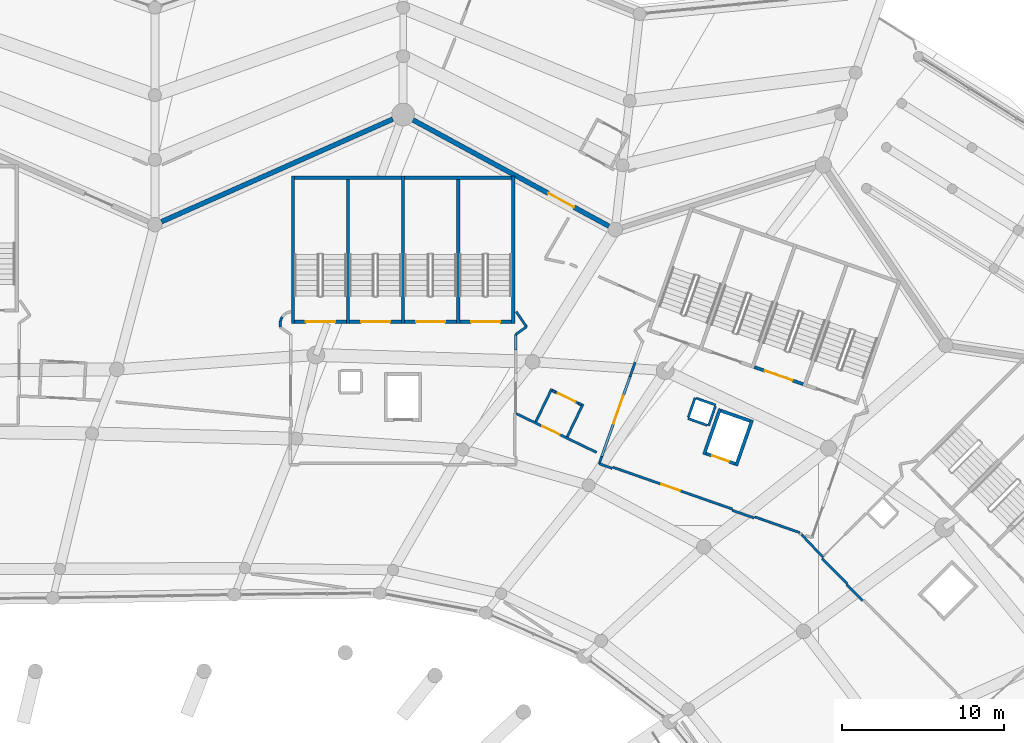
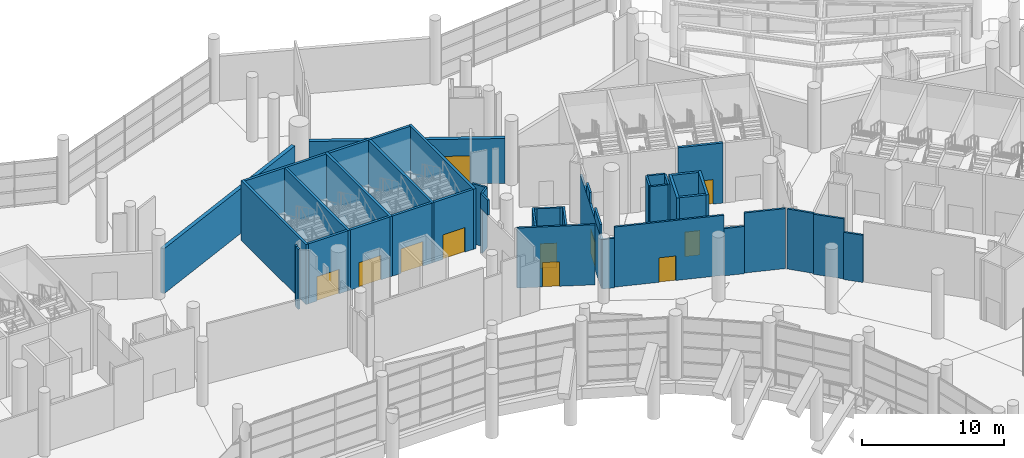
# One storey, part 197 of 271: 43 walls, 11 doors, 11 openings.
"""IFC4 building model written with IfcOpenShell, lengths in metres."""

from ifc_helpers import new_model, si_unit, direction, frame, frame_2d, origin, place, context, subcontext, project, spatial, rectangle, extrude, material, layer, layer_set, type_object, element, fill, save


model = new_model("IFC4")

# Units and contexts
model_context = context("Model", 3, precision=1e-05, world=origin(), true_north=direction((0.0, 1.0)))
body_context = subcontext(model_context, "Body", "Model", "MODEL_VIEW")
ifc_project = project(units=[si_unit("LENGTHUNIT", "METRE"), si_unit("AREAUNIT", "SQUARE_METRE"), si_unit("VOLUMEUNIT", "CUBIC_METRE"), si_unit("PLANEANGLEUNIT", "RADIAN"), si_unit("MASSUNIT", "GRAM", prefix="KILO")], contexts=[model_context])

# Site, building, storey
site_placement = place(None, origin())
site = spatial("IfcSite", under=ifc_project, at=site_placement, CompositionType="ELEMENT")
building_placement = place(site_placement, origin())
building = spatial("IfcBuilding", under=site, at=building_placement, Name="Meseta Stadium", CompositionType="ELEMENT")
storey_placement = place(building_placement, frame((0.0, 0.0, 6.5)))
storey = spatial("IfcBuildingStorey", under=building, at=storey_placement, Name="L01", CompositionType="ELEMENT", Elevation=6.5)

# Walls
ifc_material_1 = material(Name="Concrete C40/50", Category="concrete")
ifc_layer_1 = layer(ifc_material_1, 0.199951171875)
ifc_layer_set_1 = layer_set([ifc_layer_1], Name="Core divider wall 200")
wall_type_1 = type_object("IfcWallType", Name="Core divider wall 200", PredefinedType="SHEAR", material=ifc_layer_set_1)
for number, where, z_axis, x_axis, name in (
    (1, (41.7333984375, 101.60009765625, 0.0), (0.0, 0.0, 1.0), (0.0, -1.0, 0.0), "Core 09 L01 stair A divider wall"),
    (2, (34.933349609375, 101.60009765625, 0.0), (0.0, 0.0, 1.0), (0.0, -1.0, 0.0), "Core 09 L01 stair B divider wall"),
):
    element("IfcWall", number, at=place(storey_placement, frame(where, z_axis=z_axis, x_axis=x_axis)), inside=storey, type_object=wall_type_1, Name=name, PredefinedType="SHEAR", context=body_context, shape_type="SweptSolid", body=[
        extrude(rectangle(XDim=9.10009765625, YDim=0.199951171875, at=frame_2d((4.550048828125, 0.0))), origin(), (0.0, 0.0, 1.0), 5.14990234375),
    ])

# Wall, opening, door
ifc_material_2 = material(Name="Concrete C40/50", Category="concrete")
ifc_layer_2 = layer(ifc_material_2, 0.199951171875)
ifc_layer_set_2 = layer_set([ifc_layer_2], Name="Core shaft wall 200")
wall_type_2 = type_object("IfcWallType", Name="Core shaft wall 200", PredefinedType="SHEAR", material=ifc_layer_set_2)
wall_1_placement = place(storey_placement, frame((63.052490234375, 88.741943359375, 0.0), z_axis=(0.0, 0.0, 1.0), x_axis=(-0.943878576031, 0.330292648585, 0.0)))
wall_1 = element("IfcWall", 3, at=wall_1_placement, inside=storey, type_object=wall_type_2, Name="Core 08 L01 stair A2 inner end wall", PredefinedType="SHEAR", context=body_context, shape_type="SweptSolid", body=[
    extrude(rectangle(XDim=3.199951171875, YDim=0.199951171875, at=frame_2d((1.60009765625, 0.0))), origin(), (0.0, 0.0, 1.0), 5.14990234375),
])
opening_1_placement = place(wall_1_placement, frame((0.699951171875, 0.0, 0.0)))
opening_1 = element("IfcOpeningElement", 4, at=opening_1_placement, cuts=wall_1, Name="Opening D124", PredefinedType="OPENING", context=body_context, shape_type="SweptSolid", body=[
    extrude(rectangle(XDim=1.800048828125, YDim=2.10009765625, at=frame_2d((0.89990234375, 1.050048828125))), frame((0.0, 0.10986328125, 0.0), z_axis=(0.0, -1.0, 0.0), x_axis=(1.0, 0.0, 0.0)), (0.0, 0.0, 1.0), 0.219970703125),
])
ifc_material_3 = material(Name="Steel", Category="steel")
door_type_1 = type_object("IfcDoorType", Name="Stair door 1800x2100", OperationType="DOUBLE_DOOR_SINGLE_SWING", PredefinedType="DOOR", material=ifc_material_3)
door_1_placement = place(opening_1_placement, origin())
door_1 = element("IfcDoor", 5, at=door_1_placement, inside=storey, type_object=door_type_1, Name="Stair A2 door 08 L01", OperationType="DOUBLE_DOOR_SINGLE_SWING", OverallHeight=2.10009765625, OverallWidth=1.800048828125, PredefinedType="DOOR", context=body_context, shape_type="SweptSolid", body=[
    extrude(rectangle(XDim=1.800048828125, YDim=2.10009765625, at=frame_2d((0.89990234375, 1.050048828125))), frame((0.0, 0.02490234375, 0.0), z_axis=(0.0, -1.0, 0.0), x_axis=(1.0, 0.0, 0.0)), (0.0, 0.0, 1.0), 0.050048828125),
])
fill(opening_1, door_1)

# Walls
for number, where, z_axis, x_axis, name in (
    (6, (59.896240234375, 86.53369140625, 0.0), (0.0, 0.0, 1.0), (-0.330328674497, -0.943865968666, 0.0), "Core 08 L01 lift shaft wall left"),
    (7, (57.9140625, 87.227294921875, 0.0), (0.0, 0.0, 1.0), (-0.330328674497, -0.943865968666, 0.0), "Core 08 L01 lift shaft wall right"),
):
    element("IfcWall", number, at=place(storey_placement, frame(where, z_axis=z_axis, x_axis=x_axis)), inside=storey, type_object=wall_type_2, Name=name, PredefinedType="SHEAR", context=body_context, shape_type="SweptSolid", body=[
        extrude(rectangle(XDim=3.0, YDim=0.199951171875, at=frame_2d((1.5, 0.0))), origin(), (0.0, 0.0, 1.0), 5.14990234375),
    ])
wall_2_placement = place(storey_placement, frame((59.768798828125, 86.472412109375, 0.0), z_axis=(0.0, 0.0, 1.0), x_axis=(-0.943862362559, 0.330338978239, 0.0)))
element("IfcWall", 8, at=wall_2_placement, inside=storey, type_object=wall_type_2, Name="Core 08 L01 lift shaft back wall", PredefinedType="SHEAR", context=body_context, shape_type="SweptSolid", body=[
    extrude(rectangle(XDim=1.900146484375, YDim=0.199951171875, at=frame_2d((0.9501953125, 0.0))), origin(), (0.0, 0.0, 1.0), 5.14990234375),
])

# Wall, opening, door
wall_3_placement = place(storey_placement, frame((58.843994140625, 83.82958984375, 0.0), z_axis=(0.0, 0.0, 1.0), x_axis=(-0.943902418729, 0.330224505327, 0.0)))
wall_3 = element("IfcWall", 9, at=wall_3_placement, inside=storey, type_object=wall_type_2, Name="Core 08 L01 lift shaft front wall", PredefinedType="SHEAR", context=body_context, shape_type="SweptSolid", body=[
    extrude(rectangle(XDim=1.900146484375, YDim=0.199951171875, at=frame_2d((0.9501953125, 0.0))), origin(), (0.0, 0.0, 1.0), 5.14990234375),
])
opening_2_placement = place(wall_3_placement, frame((0.39990234375, 0.0, 0.0)))
opening_2 = element("IfcOpeningElement", 10, at=opening_2_placement, cuts=wall_3, Name="Opening LD44", PredefinedType="OPENING", context=body_context, shape_type="SweptSolid", body=[
    extrude(rectangle(XDim=1.10009765625, YDim=2.10009765625, at=frame_2d((0.550048828125, 1.050048828125))), frame((0.0, 0.10986328125, 0.0), z_axis=(0.0, -1.0, 0.0), x_axis=(1.0, 0.0, 0.0)), (0.0, 0.0, 1.0), 0.219970703125),
])
ifc_material_4 = material(Name="Steel", Category="steel")
door_type_2 = type_object("IfcDoorType", Name="Lift landing door 1100x2100", OperationType="SLIDING_TO_LEFT", PredefinedType="DOOR", material=ifc_material_4)
door_2_placement = place(opening_2_placement, origin())
door_2 = element("IfcDoor", 11, at=door_2_placement, inside=storey, type_object=door_type_2, Name="Lift landing door LD44", OperationType="SLIDING_TO_RIGHT", OverallHeight=2.10009765625, OverallWidth=1.10009765625, PredefinedType="DOOR", context=body_context, shape_type="SweptSolid", body=[
    extrude(rectangle(XDim=1.10009765625, YDim=2.10009765625, at=frame_2d((0.550048828125, 1.050048828125))), frame((0.0, 0.02490234375, 0.0), z_axis=(0.0, -1.0, 0.0), x_axis=(1.0, 0.0, 0.0)), (0.0, 0.0, 1.0), 0.050048828125),
])
fill(opening_2, door_2)

# Walls
for number, where, z_axis, x_axis, name in (
    (12, (45.13330078125, 101.60009765625, 0.0), (0.0, 0.0, 1.0), (0.0, -1.0, 0.0), "Core 09 L01 stair wall A-side"),
    (13, (38.333251953125, 101.60009765625, 0.0), (0.0, 0.0, 1.0), (0.0, -1.0, 0.0), "Core 09 L01 stair wall shared"),
    (14, (31.533203125, 101.60009765625, 0.0), (0.0, 0.0, 1.0), (0.0, -1.0, 0.0), "Core 09 L01 stair wall B-side"),
):
    element("IfcWall", number, at=place(storey_placement, frame(where, z_axis=z_axis, x_axis=x_axis)), inside=storey, type_object=wall_type_2, Name=name, PredefinedType="SHEAR", context=body_context, shape_type="SweptSolid", body=[
        extrude(rectangle(XDim=9.10009765625, YDim=0.199951171875, at=frame_2d((4.550048828125, 0.0))), origin(), (0.0, 0.0, 1.0), 5.14990234375),
    ])
wall_4_placement = place(storey_placement, frame((45.033203125, 101.5, 0.0), z_axis=(0.0, 0.0, 1.0), x_axis=(-1.0, 0.0, 0.0)))
element("IfcWall", 15, at=wall_4_placement, inside=storey, type_object=wall_type_2, Name="Core 09 L01 stair A outer end wall", PredefinedType="SHEAR", context=body_context, shape_type="SweptSolid", body=[
    extrude(rectangle(XDim=6.599853515625, YDim=0.199951171875, at=frame_2d((3.2998046875, 0.0))), origin(), (0.0, 0.0, 1.0), 5.14990234375),
])
wall_5_placement = place(storey_placement, frame((38.2333984375, 101.5, 0.0), z_axis=(0.0, 0.0, 1.0), x_axis=(-1.0, 0.0, 0.0)))
element("IfcWall", 16, at=wall_5_placement, inside=storey, type_object=wall_type_2, Name="Core 09 L01 stair B outer end wall", PredefinedType="SHEAR", context=body_context, shape_type="SweptSolid", body=[
    extrude(rectangle(XDim=6.60009765625, YDim=0.199951171875, at=frame_2d((3.300048828125, 0.0))), origin(), (0.0, 0.0, 1.0), 5.14990234375),
])

# Wall, opening, door
wall_6_placement = place(storey_placement, frame((45.033203125, 92.60009765625, 0.0), z_axis=(0.0, 0.0, 1.0), x_axis=(-1.0, 0.0, 0.0)))
wall_6 = element("IfcWall", 17, at=wall_6_placement, inside=storey, type_object=wall_type_2, Name="Core 09 L01 stair A1 inner end wall", PredefinedType="SHEAR", context=body_context, shape_type="SweptSolid", body=[
    extrude(rectangle(XDim=3.199951171875, YDim=0.199951171875, at=frame_2d((1.60009765625, 0.0))), origin(), (0.0, 0.0, 1.0), 5.14990234375),
])
opening_3_placement = place(wall_6_placement, frame((0.699951171875, 0.0, 0.0)))
opening_3 = element("IfcOpeningElement", 18, at=opening_3_placement, cuts=wall_6, Name="Opening D135", PredefinedType="OPENING", context=body_context, shape_type="SweptSolid", body=[
    extrude(rectangle(XDim=1.800048828125, YDim=2.10009765625, at=frame_2d((0.89990234375, 1.050048828125))), frame((0.0, 0.10986328125, 0.0), z_axis=(0.0, -1.0, 0.0), x_axis=(1.0, 0.0, 0.0)), (0.0, 0.0, 1.0), 0.219970703125),
])
door_3_placement = place(opening_3_placement, origin())
door_3 = element("IfcDoor", 19, at=door_3_placement, inside=storey, type_object=door_type_1, Name="Stair A1 door 09 L01", OperationType="DOUBLE_DOOR_SINGLE_SWING", OverallHeight=2.10009765625, OverallWidth=1.800048828125, PredefinedType="DOOR", context=body_context, shape_type="SweptSolid", body=[
    extrude(rectangle(XDim=1.800048828125, YDim=2.10009765625, at=frame_2d((0.89990234375, 1.050048828125))), frame((0.0, 0.02490234375, 0.0), z_axis=(0.0, -1.0, 0.0), x_axis=(1.0, 0.0, 0.0)), (0.0, 0.0, 1.0), 0.050048828125),
])
fill(opening_3, door_3)

wall_7_placement = place(storey_placement, frame((41.63330078125, 92.60009765625, 0.0), z_axis=(0.0, 0.0, 1.0), x_axis=(-1.0, 0.0, 0.0)))
wall_7 = element("IfcWall", 20, at=wall_7_placement, inside=storey, type_object=wall_type_2, Name="Core 09 L01 stair A2 inner end wall", PredefinedType="SHEAR", context=body_context, shape_type="SweptSolid", body=[
    extrude(rectangle(XDim=3.199951171875, YDim=0.199951171875, at=frame_2d((1.60009765625, 0.0))), origin(), (0.0, 0.0, 1.0), 5.14990234375),
])
opening_4_placement = place(wall_7_placement, frame((0.699951171875, 0.0, 0.0)))
opening_4 = element("IfcOpeningElement", 21, at=opening_4_placement, cuts=wall_7, Name="Opening D136", PredefinedType="OPENING", context=body_context, shape_type="SweptSolid", body=[
    extrude(rectangle(XDim=1.800048828125, YDim=2.10009765625, at=frame_2d((0.89990234375, 1.050048828125))), frame((0.0, 0.10986328125, 0.0), z_axis=(0.0, -1.0, 0.0), x_axis=(1.0, 0.0, 0.0)), (0.0, 0.0, 1.0), 0.219970703125),
])
door_4_placement = place(opening_4_placement, origin())
door_4 = element("IfcDoor", 22, at=door_4_placement, inside=storey, type_object=door_type_1, Name="Stair A2 door 09 L01", OperationType="DOUBLE_DOOR_SINGLE_SWING", OverallHeight=2.10009765625, OverallWidth=1.800048828125, PredefinedType="DOOR", context=body_context, shape_type="SweptSolid", body=[
    extrude(rectangle(XDim=1.800048828125, YDim=2.10009765625, at=frame_2d((0.89990234375, 1.050048828125))), frame((0.0, 0.02490234375, 0.0), z_axis=(0.0, -1.0, 0.0), x_axis=(1.0, 0.0, 0.0)), (0.0, 0.0, 1.0), 0.050048828125),
])
fill(opening_4, door_4)

wall_8_placement = place(storey_placement, frame((38.2333984375, 92.60009765625, 0.0), z_axis=(0.0, 0.0, 1.0), x_axis=(-1.0, 0.0, 0.0)))
wall_8 = element("IfcWall", 23, at=wall_8_placement, inside=storey, type_object=wall_type_2, Name="Core 09 L01 stair B1 inner end wall", PredefinedType="SHEAR", context=body_context, shape_type="SweptSolid", body=[
    extrude(rectangle(XDim=3.2001953125, YDim=0.199951171875, at=frame_2d((1.60009765625, 0.0))), origin(), (0.0, 0.0, 1.0), 5.14990234375),
])
opening_5_placement = place(wall_8_placement, frame((0.699951171875, 0.0, 0.0)))
opening_5 = element("IfcOpeningElement", 24, at=opening_5_placement, cuts=wall_8, Name="Opening D137", PredefinedType="OPENING", context=body_context, shape_type="SweptSolid", body=[
    extrude(rectangle(XDim=1.800048828125, YDim=2.10009765625, at=frame_2d((0.89990234375, 1.050048828125))), frame((0.0, 0.10986328125, 0.0), z_axis=(0.0, -1.0, 0.0), x_axis=(1.0, 0.0, 0.0)), (0.0, 0.0, 1.0), 0.219970703125),
])
door_5_placement = place(opening_5_placement, origin())
door_5 = element("IfcDoor", 25, at=door_5_placement, inside=storey, type_object=door_type_1, Name="Stair B1 door 09 L01", OperationType="DOUBLE_DOOR_SINGLE_SWING", OverallHeight=2.10009765625, OverallWidth=1.800048828125, PredefinedType="DOOR", context=body_context, shape_type="SweptSolid", body=[
    extrude(rectangle(XDim=1.800048828125, YDim=2.10009765625, at=frame_2d((0.89990234375, 1.050048828125))), frame((0.0, 0.02490234375, 0.0), z_axis=(0.0, -1.0, 0.0), x_axis=(1.0, 0.0, 0.0)), (0.0, 0.0, 1.0), 0.050048828125),
])
fill(opening_5, door_5)

wall_9_placement = place(storey_placement, frame((34.833251953125, 92.60009765625, 0.0), z_axis=(0.0, 0.0, 1.0), x_axis=(-1.0, 0.0, 0.0)))
wall_9 = element("IfcWall", 26, at=wall_9_placement, inside=storey, type_object=wall_type_2, Name="Core 09 L01 stair B2 inner end wall", PredefinedType="SHEAR", context=body_context, shape_type="SweptSolid", body=[
    extrude(rectangle(XDim=3.199951171875, YDim=0.199951171875, at=frame_2d((1.60009765625, 0.0))), origin(), (0.0, 0.0, 1.0), 5.14990234375),
])
opening_6_placement = place(wall_9_placement, frame((0.699951171875, 0.0, 0.0)))
opening_6 = element("IfcOpeningElement", 27, at=opening_6_placement, cuts=wall_9, Name="Opening D138", PredefinedType="OPENING", context=body_context, shape_type="SweptSolid", body=[
    extrude(rectangle(XDim=1.800048828125, YDim=2.10009765625, at=frame_2d((0.89990234375, 1.050048828125))), frame((0.0, 0.10986328125, 0.0), z_axis=(0.0, -1.0, 0.0), x_axis=(1.0, 0.0, 0.0)), (0.0, 0.0, 1.0), 0.219970703125),
])
door_6_placement = place(opening_6_placement, origin())
door_6 = element("IfcDoor", 28, at=door_6_placement, inside=storey, type_object=door_type_1, Name="Stair B2 door 09 L01", OperationType="DOUBLE_DOOR_SINGLE_SWING", OverallHeight=2.10009765625, OverallWidth=1.800048828125, PredefinedType="DOOR", context=body_context, shape_type="SweptSolid", body=[
    extrude(rectangle(XDim=1.800048828125, YDim=2.10009765625, at=frame_2d((0.89990234375, 1.050048828125))), frame((0.0, 0.02490234375, 0.0), z_axis=(0.0, -1.0, 0.0), x_axis=(1.0, 0.0, 0.0)), (0.0, 0.0, 1.0), 0.050048828125),
])
fill(opening_6, door_6)

ifc_material_5 = material(Name="Masonry blockwork", Category="masonry")
ifc_layer_3 = layer(ifc_material_5, 0.14990234375)
ifc_layer_set_3 = layer_set([ifc_layer_3], Name="Partition 150")
wall_type_3 = type_object("IfcWallType", Name="Partition 150", PredefinedType="PARTITIONING", material=ifc_layer_set_3)
wall_10_placement = place(storey_placement, frame((51.2841796875, 83.614501953125, 0.0), z_axis=(0.0, 0.0, 1.0), x_axis=(0.943878277554, -0.330293501543, 0.0)))
wall_10 = element("IfcWall", 29, at=wall_10_placement, inside=storey, type_object=wall_type_3, Name="Partition L01 L01-cell06-0-0", PredefinedType="PARTITIONING", context=body_context, shape_type="SweptSolid", body=[
    extrude(rectangle(XDim=7.8330078125, YDim=0.14990234375, at=frame_2d((3.91650390625, 0.0))), origin(), (0.0, 0.0, 1.0), 5.14990234375),
])
opening_7_placement = place(wall_10_placement, frame((3.199951171875, 0.0, 0.0)))
opening_7 = element("IfcOpeningElement", 30, at=opening_7_placement, cuts=wall_10, Name="Opening D647", PredefinedType="OPENING", context=body_context, shape_type="SweptSolid", body=[
    extrude(rectangle(XDim=1.199951171875, YDim=2.10009765625, at=frame_2d((0.60009765625, 1.050048828125))), frame((0.0, 0.0849609375, 0.0), z_axis=(0.0, -1.0, 0.0), x_axis=(1.0, 0.0, 0.0)), (0.0, 0.0, 1.0), 0.169921875),
])
ifc_material_6 = material(Name="Steel", Category="steel")
door_type_3 = type_object("IfcDoorType", Name="Fire door 1200x2100 EI2 60", OperationType="NOTDEFINED", PredefinedType="DOOR", material=ifc_material_6)
door_7_placement = place(opening_7_placement, origin())
door_7 = element("IfcDoor", 31, at=door_7_placement, inside=storey, type_object=door_type_3, Name="Door D647", OperationType="SINGLE_SWING_LEFT", OverallHeight=2.10009765625, OverallWidth=1.199951171875, PredefinedType="DOOR", context=body_context, shape_type="SweptSolid", body=[
    extrude(rectangle(XDim=1.199951171875, YDim=2.10009765625, at=frame_2d((0.60009765625, 1.050048828125))), frame((0.0, 0.02490234375, 0.0), z_axis=(0.0, -1.0, 0.0), x_axis=(1.0, 0.0, 0.0)), (0.0, 0.0, 1.0), 0.050048828125),
])
fill(opening_7, door_7)

# Walls
wall_11_placement = place(storey_placement, frame((60.06396484375, 80.542236328125, 0.0), z_axis=(0.0, 0.0, 1.0), x_axis=(0.943873905003, -0.330305996696, 0.0)))
element("IfcWall", 32, at=wall_11_placement, inside=storey, type_object=wall_type_3, Name="Partition L01 L01-cell06-0-0", PredefinedType="PARTITIONING", context=body_context, shape_type="SweptSolid", body=[
    extrude(rectangle(XDim=2.937255859375, YDim=0.14990234375, at=frame_2d((1.46875, 0.0))), origin(), (0.0, 0.0, 1.0), 5.14990234375),
])
wall_12_placement = place(storey_placement, frame((62.948486328125, 79.453369140625, 0.0), z_axis=(0.0, 0.0, 1.0), x_axis=(0.686461196607, -0.727166435937, 0.0)))
element("IfcWall", 33, at=wall_12_placement, inside=storey, type_object=wall_type_3, Name="Partition L01 L01-cell06-0-0", PredefinedType="PARTITIONING", context=body_context, shape_type="SweptSolid", body=[
    extrude(rectangle(XDim=1.943359375, YDim=0.14990234375, at=frame_2d((0.9716796875, 0.0))), origin(), (0.0, 0.0, 1.0), 5.14990234375),
])
wall_13_placement = place(storey_placement, frame((64.215576171875, 77.973388671875, 0.0), z_axis=(0.0, 0.0, 1.0), x_axis=(0.707161957089, -0.707051600978, 0.0)))
element("IfcWall", 34, at=wall_13_placement, inside=storey, type_object=wall_type_3, Name="Partition L01 L01-cell06-0-0", PredefinedType="PARTITIONING", context=body_context, shape_type="SweptSolid", body=[
    extrude(rectangle(XDim=2.21240234375, YDim=0.14990234375, at=frame_2d((1.106201171875, 0.0))), origin(), (0.0, 0.0, 1.0), 5.14990234375),
])

# Wall, opening, door
wall_14_placement = place(storey_placement, frame((45.308349609375, 86.931396484375, 0.0), z_axis=(0.0, 0.0, 1.0), x_axis=(0.90052298219, -0.434808415911, 0.0)))
wall_14 = element("IfcWall", 35, at=wall_14_placement, inside=storey, type_object=wall_type_3, Name="Partition L01 L01-cell07-0-0", PredefinedType="PARTITIONING", context=body_context, shape_type="SweptSolid", body=[
    extrude(rectangle(XDim=5.521728515625, YDim=0.14990234375, at=frame_2d((2.7607421875, 0.0))), origin(), (0.0, 0.0, 1.0), 5.14990234375),
])
opening_8_placement = place(wall_14_placement, frame((1.800048828125, 0.0, 0.0)))
opening_8 = element("IfcOpeningElement", 36, at=opening_8_placement, cuts=wall_14, Name="Opening D648", PredefinedType="OPENING", context=body_context, shape_type="SweptSolid", body=[
    extrude(rectangle(XDim=1.199951171875, YDim=2.10009765625, at=frame_2d((0.60009765625, 1.050048828125))), frame((0.0, 0.0849609375, 0.0), z_axis=(0.0, -1.0, 0.0), x_axis=(1.0, 0.0, 0.0)), (0.0, 0.0, 1.0), 0.169921875),
])
door_8_placement = place(opening_8_placement, origin())
door_8 = element("IfcDoor", 37, at=door_8_placement, inside=storey, type_object=door_type_3, Name="Door D648", OperationType="SINGLE_SWING_LEFT", OverallHeight=2.10009765625, OverallWidth=1.199951171875, PredefinedType="DOOR", context=body_context, shape_type="SweptSolid", body=[
    extrude(rectangle(XDim=1.199951171875, YDim=2.10009765625, at=frame_2d((0.60009765625, 1.050048828125))), frame((0.0, 0.02490234375, 0.0), z_axis=(0.0, -1.0, 0.0), x_axis=(1.0, 0.0, 0.0)), (0.0, 0.0, 1.0), 0.050048828125),
])
fill(opening_8, door_8)

# Walls
wall_15_placement = place(storey_placement, frame((65.73388671875, 76.34912109375, 0.0), z_axis=(0.0, 0.0, 1.0), x_axis=(0.707106781187, -0.707106781187, 0.0)))
element("IfcWall", 38, at=wall_15_placement, inside=storey, type_object=wall_type_3, Name="Stair vestibule wall L01 core 07", PredefinedType="PARTITIONING", context=body_context, shape_type="SweptSolid", body=[
    extrude(rectangle(XDim=1.392578125, YDim=0.14990234375, at=frame_2d((0.6962890625, 0.0))), origin(), (0.0, 0.0, 1.0), 4.050048828125),
])
for number, where, z_axis, x_axis, name in (
    (39, (57.6484375, 87.45263671875, 0.0), (0.0, 0.0, 1.0), (-0.943867312246, 0.330324835387, 0.0), "Pressurisation shaft wall L01 core 08"),
    (40, (56.374267578125, 87.898681640625, 0.0), (0.0, 0.0, 1.0), (-0.330324835387, -0.943867312246, 0.0), "Pressurisation shaft wall L01 core 08"),
    (41, (55.928466796875, 86.62451171875, 0.0), (0.0, 0.0, 1.0), (0.943867312246, -0.330324835387, 0.0), "Pressurisation shaft wall L01 core 08"),
):
    element("IfcWall", number, at=place(storey_placement, frame(where, z_axis=z_axis, x_axis=x_axis)), inside=storey, type_object=wall_type_3, Name=name, PredefinedType="PARTITIONING", context=body_context, shape_type="SweptSolid", body=[
        extrude(rectangle(XDim=1.27490234375, YDim=0.14990234375, at=frame_2d((0.637451171875, 0.0))), origin(), (0.0, 0.0, 1.0), 5.14990234375),
    ])
wall_16_placement = place(storey_placement, frame((57.20263671875, 86.178466796875, 0.0), z_axis=(0.0, 0.0, 1.0), x_axis=(0.330265141396, 0.943888201207, 0.0)))
element("IfcWall", 42, at=wall_16_placement, inside=storey, type_object=wall_type_3, Name="Pressurisation shaft wall L01 core 08", PredefinedType="PARTITIONING", context=body_context, shape_type="SweptSolid", body=[
    extrude(rectangle(XDim=1.275146484375, YDim=0.14990234375, at=frame_2d((0.6376953125, 0.0))), origin(), (0.0, 0.0, 1.0), 5.14990234375),
])

# Wall, opening, door
wall_17_placement = place(storey_placement, frame((53.147705078125, 91.4541015625, 0.0), z_axis=(0.0, 0.0, 1.0), x_axis=(-0.333817535375, -0.942637710404, 0.0)))
wall_17 = element("IfcWall", 43, at=wall_17_placement, inside=storey, type_object=wall_type_3, Name="Stair vestibule wall L01 core 08", PredefinedType="PARTITIONING", context=body_context, shape_type="SweptSolid", body=[
    extrude(rectangle(XDim=8.09033203125, YDim=0.14990234375, at=frame_2d((4.045166015625, 0.0))), origin(), (0.0, 0.0, 1.0), 4.25),
])
opening_9_placement = place(wall_17_placement, frame((3.64990234375, 0.0, 0.0)))
opening_9 = element("IfcOpeningElement", 44, at=opening_9_placement, cuts=wall_17, Name="Opening D764", PredefinedType="OPENING", context=body_context, shape_type="SweptSolid", body=[
    extrude(rectangle(XDim=1.800048828125, YDim=2.10009765625, at=frame_2d((0.89990234375, 1.050048828125))), frame((0.0, 0.0849609375, 0.0), z_axis=(0.0, -1.0, 0.0), x_axis=(1.0, 0.0, 0.0)), (0.0, 0.0, 1.0), 0.169921875),
])
ifc_material_7 = material(Name="Steel", Category="steel")
door_type_4 = type_object("IfcDoorType", Name="Fire double door 1800x2100 EI2 60", OperationType="DOUBLE_DOOR_SINGLE_SWING", PredefinedType="DOOR", material=ifc_material_7)
door_9_placement = place(opening_9_placement, origin())
door_9 = element("IfcDoor", 45, at=door_9_placement, inside=storey, type_object=door_type_4, Name="Stair vestibule door L01 core 08", OperationType="DOUBLE_DOOR_SINGLE_SWING", OverallHeight=2.10009765625, OverallWidth=1.800048828125, PredefinedType="DOOR", context=body_context, shape_type="SweptSolid", body=[
    extrude(rectangle(XDim=1.800048828125, YDim=2.10009765625, at=frame_2d((0.89990234375, 1.050048828125))), frame((0.0, 0.02490234375, 0.0), z_axis=(0.0, -1.0, 0.0), x_axis=(1.0, 0.0, 0.0)), (0.0, 0.0, 1.0), 0.050048828125),
])
fill(opening_9, door_9)

# Walls
wall_18_placement = place(storey_placement, frame((51.3115234375, 86.26953125, 4.25), z_axis=(0.0, 0.0, 1.0), x_axis=(-0.333840729385, -0.942629496358, 0.0)))
element("IfcWall", 46, at=wall_18_placement, inside=storey, type_object=wall_type_3, Name="Stair vestibule wall L01 core 08", PredefinedType="PARTITIONING", context=body_context, shape_type="SweptSolid", body=[
    extrude(rectangle(XDim=2.1142578125, YDim=0.14990234375, at=frame_2d((1.05712890625, 0.0))), origin(), (0.0, 0.0, 1.0), 0.89990234375),
])
wall_19_placement = place(storey_placement, frame((50.447021484375, 83.827880859375, 0.0), z_axis=(0.0, 0.0, 1.0), x_axis=(0.943871777737, -0.330312075456, 0.0)))
element("IfcWall", 47, at=wall_19_placement, inside=storey, type_object=wall_type_3, Name="Stair vestibule wall L01 core 08", PredefinedType="PARTITIONING", context=body_context, shape_type="SweptSolid", body=[
    extrude(rectangle(XDim=0.850830078125, YDim=0.14990234375, at=frame_2d((0.42529296875, 0.0))), origin(), (0.0, 0.0, 1.0), 4.25),
])
wall_20_placement = place(storey_placement, frame((58.662353515625, 80.953125, 0.0), z_axis=(0.0, 0.0, 1.0), x_axis=(0.943876745654, -0.330297879215, 0.0)))
element("IfcWall", 48, at=wall_20_placement, inside=storey, type_object=wall_type_3, Name="Stair vestibule wall L01 core 08", PredefinedType="PARTITIONING", context=body_context, shape_type="SweptSolid", body=[
    extrude(rectangle(XDim=1.44873046875, YDim=0.14990234375, at=frame_2d((0.724365234375, 0.0))), origin(), (0.0, 0.0, 1.0), 4.050048828125),
])
wall_21_placement = place(storey_placement, frame((30.859130859375, 92.903564453125, 0.0), z_axis=(0.0, 0.0, 1.0), x_axis=(-0.382275228123, -0.924048510611, 0.0)))
element("IfcWall", 49, at=wall_21_placement, inside=storey, type_object=wall_type_3, Name="Stair vestibule wall L01 core 09", PredefinedType="PARTITIONING", context=body_context, shape_type="SweptSolid", body=[
    extrude(rectangle(XDim=0.28173828125, YDim=0.14990234375, at=frame_2d((0.140869140625, 0.0))), origin(), (0.0, 0.0, 1.0), 5.14990234375),
])
wall_22_placement = place(storey_placement, frame((30.75146484375, 92.643310546875, 0.0), z_axis=(0.0, 0.0, 1.0), x_axis=(-0.038982051143, -0.999239910977, 0.0)))
element("IfcWall", 50, at=wall_22_placement, inside=storey, type_object=wall_type_3, Name="Stair vestibule wall L01 core 09", PredefinedType="PARTITIONING", context=body_context, shape_type="SweptSolid", body=[
    extrude(rectangle(XDim=0.375732421875, YDim=0.14990234375, at=frame_2d((0.18798828125, 0.0))), origin(), (0.0, 0.0, 1.0), 5.14990234375),
])
wall_23_placement = place(storey_placement, frame((45.2841796875, 90.84326171875, 3.85009765625), z_axis=(0.0, 0.0, 1.0), x_axis=(-0.003284469399, 0.999994606116, 0.0)))
element("IfcWall", 51, at=wall_23_placement, inside=storey, type_object=wall_type_3, Name="Stair vestibule wall L01 core 09", PredefinedType="PARTITIONING", context=body_context, shape_type="SweptSolid", body=[
    extrude(rectangle(XDim=0.96630859375, YDim=0.14990234375, at=frame_2d((0.483154296875, 0.0))), origin(), (0.0, 0.0, 1.0), 1.2998046875),
])
wall_24_placement = place(storey_placement, frame((45.281005859375, 91.8095703125, 0.0), z_axis=(0.0, 0.0, 1.0), x_axis=(0.815538498344, 0.57870282332, 0.0)))
element("IfcWall", 52, at=wall_24_placement, inside=storey, type_object=wall_type_3, Name="Stair vestibule wall L01 core 09", PredefinedType="PARTITIONING", context=body_context, shape_type="SweptSolid", body=[
    extrude(rectangle(XDim=0.829833984375, YDim=0.14990234375, at=frame_2d((0.4150390625, 0.0))), origin(), (0.0, 0.0, 1.0), 5.14990234375),
])
wall_25_placement = place(storey_placement, frame((45.957763671875, 92.289794921875, 0.0), z_axis=(0.0, 0.0, 1.0), x_axis=(-0.563921977691, 0.825828071136, 0.0)))
element("IfcWall", 53, at=wall_25_placement, inside=storey, type_object=wall_type_3, Name="Stair vestibule wall L01 core 09", PredefinedType="PARTITIONING", context=body_context, shape_type="SweptSolid", body=[
    extrude(rectangle(XDim=1.1259765625, YDim=0.14990234375, at=frame_2d((0.56298828125, 0.0))), origin(), (0.0, 0.0, 1.0), 5.14990234375),
])
for number, where, z_axis, x_axis, name in (
    (54, (46.5341796875, 86.422607421875, 0.0), (0.0, 0.0, 1.0), (0.434758168481, 0.900547241925, 0.0), "Partition L01 L01-cell07-0-0 vestibule"),
    (55, (48.47021484375, 85.48779296875, 0.0), (0.0, 0.0, 1.0), (0.434758168481, 0.900547241925, 0.0), "Partition L01 L01-cell07-0-0 vestibule"),
):
    element("IfcWall", number, at=place(storey_placement, frame(where, z_axis=z_axis, x_axis=x_axis)), inside=storey, type_object=wall_type_3, Name=name, PredefinedType="PARTITIONING", context=body_context, shape_type="SweptSolid", body=[
        extrude(rectangle(XDim=2.250244140625, YDim=0.14990234375, at=frame_2d((1.125, 0.0))), origin(), (0.0, 0.0, 1.0), 5.14990234375),
    ])
wall_26_placement = place(storey_placement, frame((47.54736328125, 88.348876953125, 0.0), z_axis=(0.0, 0.0, 1.0), x_axis=(0.900205528442, -0.435465275954, 0.0)))
element("IfcWall", 56, at=wall_26_placement, inside=storey, type_object=wall_type_3, Name="Partition L01 L01-cell07-0-0 vestibule", PredefinedType="PARTITIONING", context=body_context, shape_type="SweptSolid", body=[
    extrude(rectangle(XDim=0.2001953125, YDim=0.14990234375, at=frame_2d((0.10009765625, 0.0))), origin(), (0.0, 0.0, 1.0), 5.14990234375),
])

# Wall, opening, door
wall_27_placement = place(storey_placement, frame((47.7275390625, 88.26171875, 0.0), z_axis=(0.0, 0.0, 1.0), x_axis=(0.90053721394, -0.434778939589, 0.0)))
wall_27 = element("IfcWall", 57, at=wall_27_placement, inside=storey, type_object=wall_type_3, Name="Partition L01 L01-cell07-0-0 vestibule", PredefinedType="PARTITIONING", context=body_context, shape_type="SweptSolid", body=[
    extrude(rectangle(XDim=1.599853515625, YDim=0.14990234375, at=frame_2d((0.7998046875, 0.0))), origin(), (0.0, 0.0, 1.0), 5.14990234375),
])
opening_10_placement = place(wall_27_placement, frame((0.199951171875, 0.0, 0.0)))
opening_10 = element("IfcOpeningElement", 58, at=opening_10_placement, cuts=wall_27, Name="Opening D894", PredefinedType="OPENING", context=body_context, shape_type="SweptSolid", body=[
    extrude(rectangle(XDim=1.199951171875, YDim=2.10009765625, at=frame_2d((0.60009765625, 1.050048828125))), frame((0.0, 0.0849609375, 0.0), z_axis=(0.0, -1.0, 0.0), x_axis=(1.0, 0.0, 0.0)), (0.0, 0.0, 1.0), 0.169921875),
])
door_10_placement = place(opening_10_placement, origin())
door_10 = element("IfcDoor", 59, at=door_10_placement, inside=storey, type_object=door_type_3, Name="Vestibule door L01 L01-cell07-0-0", OperationType="SINGLE_SWING_RIGHT", OverallHeight=2.10009765625, OverallWidth=1.199951171875, PredefinedType="DOOR", context=body_context, shape_type="SweptSolid", body=[
    extrude(rectangle(XDim=1.199951171875, YDim=2.10009765625, at=frame_2d((0.60009765625, 1.050048828125))), frame((0.0, 0.02490234375, 0.0), z_axis=(0.0, -1.0, 0.0), x_axis=(1.0, 0.0, 0.0)), (0.0, 0.0, 1.0), 0.050048828125),
])
fill(opening_10, door_10)

# Walls
wall_28_placement = place(storey_placement, frame((49.168212890625, 87.566162109375, 0.0), z_axis=(0.0, 0.0, 1.0), x_axis=(0.900205528442, -0.435465275954, 0.0)))
element("IfcWall", 60, at=wall_28_placement, inside=storey, type_object=wall_type_3, Name="Partition L01 L01-cell07-0-0 vestibule", PredefinedType="PARTITIONING", context=body_context, shape_type="SweptSolid", body=[
    extrude(rectangle(XDim=0.2001953125, YDim=0.14990234375, at=frame_2d((0.10009765625, 0.0))), origin(), (0.0, 0.0, 1.0), 5.14990234375),
])
wall_29_placement = place(storey_placement, frame((52.353271484375, 89.211181640625, 4.25), z_axis=(0.0, 0.0, 1.0), x_axis=(-0.333813820178, -0.942639026064, 0.0)))
element("IfcWall", 61, at=wall_29_placement, inside=storey, type_object=wall_type_3, Name="Stair vestibule wall L01 core 08", PredefinedType="PARTITIONING", context=body_context, shape_type="SweptSolid", body=[
    extrude(rectangle(XDim=1.220703125, YDim=0.14990234375, at=frame_2d((0.6103515625, 0.0))), origin(), (0.0, 0.0, 1.0), 0.89990234375),
])

# Wall, opening, door
ifc_material_8 = material(Name="White precast concrete C40/50", Category="concrete")
ifc_layer_4 = layer(ifc_material_8, 0.300048828125)
ifc_layer_set_4 = layer_set([ifc_layer_4], Name="Pleated panel wall 300 concourse")
wall_type_4 = type_object("IfcWallType", Name="Pleated panel wall 300 concourse", PredefinedType="SOLIDWALL", material=ifc_layer_set_4)
wall_30_placement = place(storey_placement, frame((38.948486328125, 105.06640625, 0.0), z_axis=(0.0, 0.0, 1.0), x_axis=(0.879144247164, -0.476555760304, 0.0)))
wall_30 = element("IfcWall", 62, at=wall_30_placement, inside=storey, type_object=wall_type_4, Name="Pleated facade panel L01 F15", PredefinedType="SOLIDWALL", context=body_context, shape_type="SweptSolid", body=[
    extrude(rectangle(XDim=13.760498046875, YDim=0.300048828125, at=frame_2d((6.88037109375, 0.0))), origin(), (0.0, 0.0, 1.0), 3.85009765625),
])
opening_11_placement = place(wall_30_placement, frame((9.51025390625, 0.0, 0.0)))
opening_11 = element("IfcOpeningElement", 63, at=opening_11_placement, cuts=wall_30, Name="Opening D985", PredefinedType="OPENING", context=body_context, shape_type="SweptSolid", body=[
    extrude(rectangle(XDim=1.800048828125, YDim=2.39990234375, at=frame_2d((0.89990234375, 1.199951171875))), frame((0.0, 0.159912109375, 0.0), z_axis=(0.0, -1.0, 0.0), x_axis=(1.0, 0.0, 0.0)), (0.0, 0.0, 1.0), 0.320068359375),
])
ifc_material_9 = material(Name="Steel", Category="steel")
door_type_5 = type_object("IfcDoorType", Name="Concourse double door 1800x2400", OperationType="DOUBLE_DOOR_SINGLE_SWING", PredefinedType="DOOR", material=ifc_material_9)
door_11_placement = place(opening_11_placement, origin())
door_11 = element("IfcDoor", 64, at=door_11_placement, inside=storey, type_object=door_type_5, Name="Concourse door", OperationType="DOUBLE_DOOR_SINGLE_SWING", OverallHeight=2.39990234375, OverallWidth=1.800048828125, PredefinedType="DOOR", context=body_context, shape_type="SweptSolid", body=[
    extrude(rectangle(XDim=1.800048828125, YDim=2.39990234375, at=frame_2d((0.89990234375, 1.199951171875))), frame((0.0, 0.02490234375, 0.0), z_axis=(0.0, -1.0, 0.0), x_axis=(1.0, 0.0, 0.0)), (0.0, 0.0, 1.0), 0.050048828125),
])
fill(opening_11, door_11)

# Wall
wall_31_placement = place(storey_placement, frame((23.410888671875, 98.7822265625, 0.0), z_axis=(0.0, 0.0, 1.0), x_axis=(0.914140506485, 0.405397501722, 0.0)))
element("IfcWall", 65, at=wall_31_placement, inside=storey, type_object=wall_type_4, Name="Pleated facade panel L01 F16", PredefinedType="SOLIDWALL", context=body_context, shape_type="SweptSolid", body=[
    extrude(rectangle(XDim=15.624755859375, YDim=0.300048828125, at=frame_2d((7.8125, 0.0))), origin(), (0.0, 0.0, 1.0), 3.85009765625),
])

save(model, "model.ifc")
